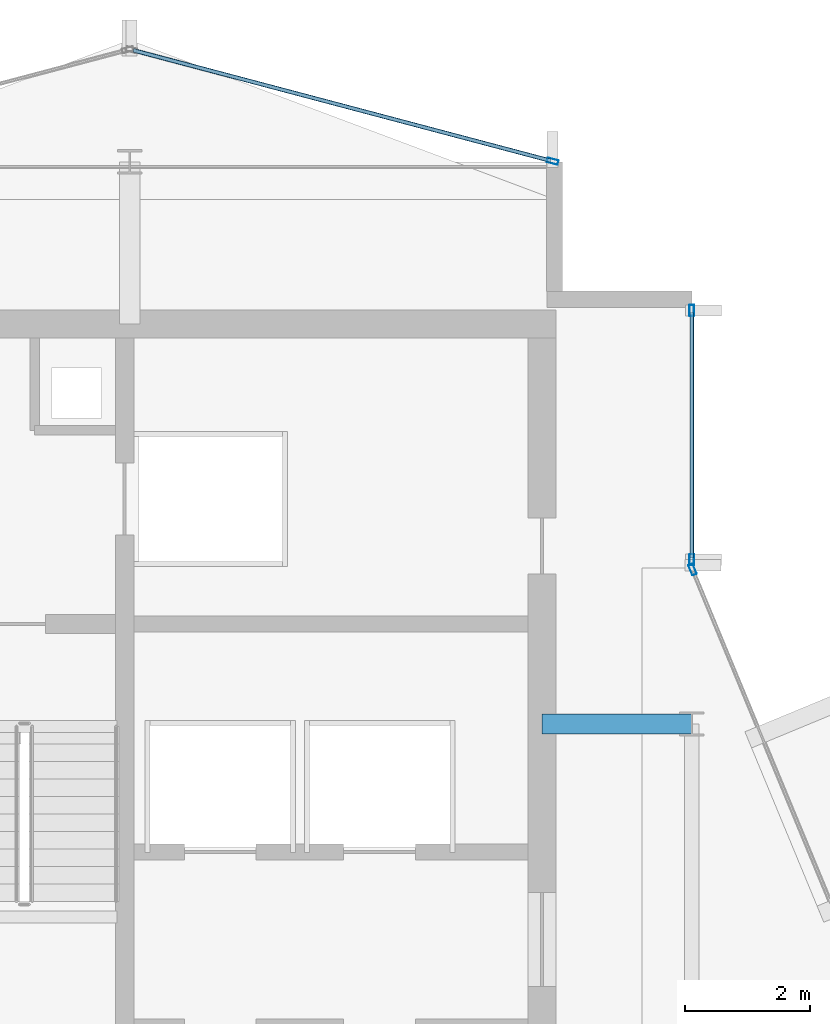
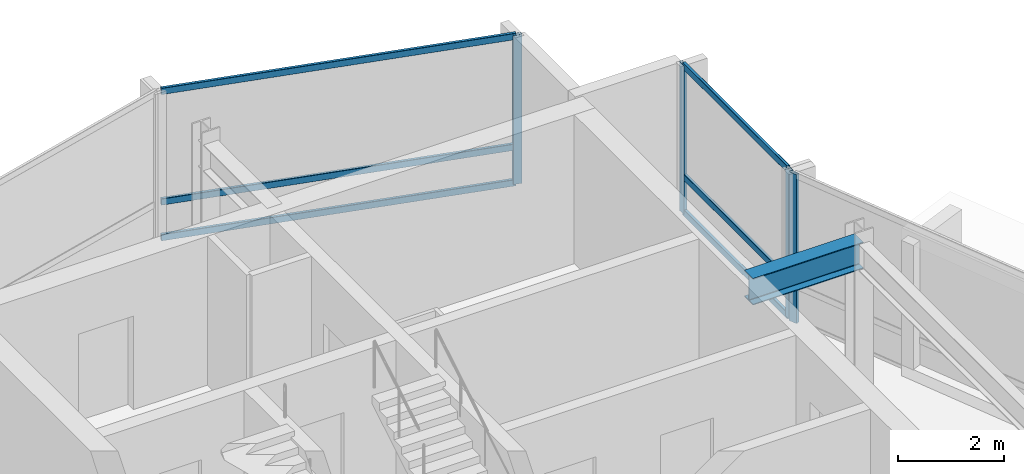
# One storey, part 12 of 19: 10 members, 1 beam, 3 elements without a shape of their own.
"""IFC4 building model written with IfcOpenShell, lengths in metres."""

from ifc_helpers import new_model, si_unit, direction, frame, origin, origin_2d, place, context, subcontext, project, spatial, hollow_rectangle, i_section, extrude, material, layer, layer_set, material_profile, profile_set, type_object, element, aggregate, save


model = new_model("IFC4")

# Units and contexts
model_context = context("Model", 3, precision=1e-05, world=origin(), true_north=direction((0.0, 1.0)))
body_context = subcontext(model_context, "Body", "Model", "MODEL_VIEW")
ifc_project = project(units=[si_unit("LENGTHUNIT", "METRE"), si_unit("AREAUNIT", "SQUARE_METRE"), si_unit("VOLUMEUNIT", "CUBIC_METRE"), si_unit("PLANEANGLEUNIT", "RADIAN"), si_unit("MASSUNIT", "GRAM", prefix="KILO")], contexts=[model_context])

# Site, building, storey
site_placement = place(None, origin())
site = spatial("IfcSite", under=ifc_project, at=site_placement, CompositionType="ELEMENT")
building_placement = place(site_placement, origin())
building = spatial("IfcBuilding", under=site, at=building_placement, Name="Solvaryn Broadcast Tower", CompositionType="ELEMENT")
storey_placement = place(building_placement, frame((0.0, 0.0, 259.300048828125)))
storey = spatial("IfcBuildingStorey", under=building, at=storey_placement, Name="L65", CompositionType="ELEMENT", Elevation=259.300048828125)

# Beam
ifc_material_1 = material(Name="Steel ASTM A992 Grade 50", Category="steel")
ifc_material_profile_1 = material_profile(ifc_material_1, i_section(OverallWidth=0.323974609375, OverallDepth=0.611083984375, WebThickness=0.0126953125, FlangeThickness=0.01904296875, FilletRadius=0.014892578125, at=origin_2d()))
ifc_profile_set_1 = profile_set([ifc_material_profile_1], Name="Steel ASTM A992 Grade 50")
beam_type = type_object("IfcBeamType", Name="BM-B1-W24X104", PredefinedType="BEAM", material=ifc_profile_set_1)
beam_placement = place(storey_placement, frame((24.60009765625, 36.0, 3.114501953125), z_axis=(1.0, 0.0, 0.0), x_axis=(0.0, 1.0, 0.0)))
element("IfcBeam", 1, at=beam_placement, inside=storey, type_object=beam_type, Name="L65 Core Tie Beam CTW2", PredefinedType="BEAM", context=body_context, shape_type="SweptSolid", body=[
    extrude(i_section(OverallWidth=0.323974609375, OverallDepth=0.611083984375, WebThickness=0.0126953125, FlangeThickness=0.01904296875, FilletRadius=0.014892578125, at=origin_2d()), origin(), (0.0, 0.0, 1.0), 2.39990234375),
])

# Curtain wall, members
ifc_material_2 = material(Name="Aluminium and Terracotta Unitised Curtain Wall", Category="masonry")
ifc_layer = layer(ifc_material_2, 0.199951171875)
ifc_layer_set = layer_set([ifc_layer], Name="CW-SYS2-LOWMID")
curtain_wall_type = type_object("IfcCurtainWallType", Name="CW-SYS2-LOWMID", PredefinedType="NOTDEFINED", material=ifc_layer_set)
curtain_wall_1_placement = place(storey_placement, origin())
curtain_wall_1 = element("IfcCurtainWall", 2, at=curtain_wall_1_placement, inside=storey, type_object=curtain_wall_type, Name="L65 Curtain Wall IV", PredefinedType="NOTDEFINED")
ifc_material_3 = material(Name="Anodised Aluminium 6063-T6", Category="aluminium")
ifc_material_profile_2 = material_profile(ifc_material_3, hollow_rectangle(XDim=0.074951171875, YDim=0.179931640625, WallThickness=0.00390625, InnerFilletRadius=0.00390625, OuterFilletRadius=0.008056640625, at=origin_2d()))
ifc_profile_set_2 = profile_set([ifc_material_profile_2], Name="Anodised Aluminium 6063-T6")
member_type_1 = type_object("IfcMemberType", Name="CW-MUL-180", PredefinedType="MULLION", material=ifc_profile_set_2)
member_1_placement = place(storey_placement, frame((27.0, 42.6201171875, 0.0), z_axis=(0.0, 0.0, 1.0), x_axis=(1.0, 0.0, 0.0)))
member_1 = element("IfcMember", 3, at=member_1_placement, type_object=member_type_1, Name="CWS2 mullion 1", PredefinedType="MULLION", context=body_context, shape_type="SweptSolid", body=[
    extrude(hollow_rectangle(XDim=0.074951171875, YDim=0.179931640625, WallThickness=0.00390625, InnerFilletRadius=0.00390625, OuterFilletRadius=0.008056640625, at=origin_2d()), origin(), (0.0, 0.0, 1.0), 3.419921875),
])
member_2_placement = place(storey_placement, frame((27.0, 38.6298828125, 0.0), z_axis=(0.0, 0.0, 1.0), x_axis=(1.0, 0.0, 0.0)))
member_2 = element("IfcMember", 4, at=member_2_placement, type_object=member_type_1, Name="CWS2 mullion 2", PredefinedType="MULLION", context=body_context, shape_type="SweptSolid", body=[
    extrude(hollow_rectangle(XDim=0.074951171875, YDim=0.179931640625, WallThickness=0.00390625, InnerFilletRadius=0.00390625, OuterFilletRadius=0.008056640625, at=origin_2d()), origin(), (0.0, 0.0, 1.0), 3.419921875),
])

# Curtain wall, member
curtain_wall_2_placement = place(storey_placement, origin())
curtain_wall_2 = element("IfcCurtainWall", 5, at=curtain_wall_2_placement, inside=storey, type_object=curtain_wall_type, Name="L65 Curtain Wall CN2", PredefinedType="NOTDEFINED")
member_3_placement = place(storey_placement, frame((27.011474609375, 38.47216796875, 0.0), z_axis=(0.0, 0.0, 1.0), x_axis=(-0.923894983957, -0.382646127145, 0.0)))
member_3 = element("IfcMember", 6, at=member_3_placement, type_object=member_type_1, Name="CWS2 mullion 2", PredefinedType="MULLION", context=body_context, shape_type="SweptSolid", body=[
    extrude(hollow_rectangle(XDim=0.074951171875, YDim=0.179931640625, WallThickness=0.00390625, InnerFilletRadius=0.00390625, OuterFilletRadius=0.008056640625, at=origin_2d()), origin(), (0.0, 0.0, 1.0), 3.419921875),
])
aggregate(curtain_wall_2, [member_3])

curtain_wall_3_placement = place(storey_placement, origin())
curtain_wall_3 = element("IfcCurtainWall", 7, at=curtain_wall_3_placement, inside=storey, type_object=curtain_wall_type, Name="L65 Curtain Wall NT1", PredefinedType="NOTDEFINED")
member_4_placement = place(storey_placement, frame((24.77099609375, 45.007568359375, 0.0), z_axis=(0.0, 0.0, 1.0), x_axis=(-0.25589256031, -0.966705227863, 0.0)))
member_4 = element("IfcMember", 8, at=member_4_placement, type_object=member_type_1, Name="CWS2 mullion 1", PredefinedType="MULLION", context=body_context, shape_type="SweptSolid", body=[
    extrude(hollow_rectangle(XDim=0.074951171875, YDim=0.179931640625, WallThickness=0.00390625, InnerFilletRadius=0.00390625, OuterFilletRadius=0.008056640625, at=origin_2d()), origin(), (0.0, 0.0, 1.0), 3.419921875),
])

# Member
ifc_material_4 = material(Name="Anodised Aluminium 6063-T6", Category="aluminium")
ifc_material_profile_3 = material_profile(ifc_material_4, hollow_rectangle(XDim=0.06494140625, YDim=0.14990234375, WallThickness=0.00390625, InnerFilletRadius=0.00390625, OuterFilletRadius=0.008056640625, at=origin_2d()))
ifc_profile_set_3 = profile_set([ifc_material_profile_3], Name="Anodised Aluminium 6063-T6")
member_type_2 = type_object("IfcMemberType", Name="CW-TRN-150", PredefinedType="USERDEFINED", material=ifc_profile_set_3)
member_5_placement = place(storey_placement, frame((27.0, 42.590087890625, 0.030029296875), z_axis=(0.0, -1.0, 0.0), x_axis=(1.0, 0.0, 0.0)))
member_5 = element("IfcMember", 9, at=member_5_placement, type_object=member_type_2, Name="CWS2 transom 1.1", ObjectType="TRANSOM", PredefinedType="USERDEFINED", context=body_context, shape_type="SweptSolid", body=[
    extrude(hollow_rectangle(XDim=0.06494140625, YDim=0.14990234375, WallThickness=0.00390625, InnerFilletRadius=0.00390625, OuterFilletRadius=0.008056640625, at=origin_2d()), origin(), (0.0, 0.0, 1.0), 3.93017578125),
])

member_6_placement = place(storey_placement, frame((27.0, 42.590087890625, 0.849853515625), z_axis=(0.0, -1.0, 0.0), x_axis=(1.0, 0.0, 0.0)))
member_6 = element("IfcMember", 10, at=member_6_placement, type_object=member_type_2, Name="CWS2 transom 1.2", ObjectType="TRANSOM", PredefinedType="USERDEFINED", context=body_context, shape_type="SweptSolid", body=[
    extrude(hollow_rectangle(XDim=0.06494140625, YDim=0.14990234375, WallThickness=0.00390625, InnerFilletRadius=0.00390625, OuterFilletRadius=0.008056640625, at=origin_2d()), origin(), (0.0, 0.0, 1.0), 3.93017578125),
])

member_7_placement = place(storey_placement, frame((27.0, 42.590087890625, 3.389892578125), z_axis=(0.0, -1.0, 0.0), x_axis=(1.0, 0.0, 0.0)))
member_7 = element("IfcMember", 11, at=member_7_placement, type_object=member_type_2, Name="CWS2 transom 1.3", ObjectType="TRANSOM", PredefinedType="USERDEFINED", context=body_context, shape_type="SweptSolid", body=[
    extrude(hollow_rectangle(XDim=0.06494140625, YDim=0.14990234375, WallThickness=0.00390625, InnerFilletRadius=0.00390625, OuterFilletRadius=0.008056640625, at=origin_2d()), origin(), (0.0, 0.0, 1.0), 3.93017578125),
])

aggregate(curtain_wall_1, [member_1, member_2, member_5, member_6, member_7])

member_8_placement = place(storey_placement, frame((24.741943359375, 45.015380859375, 0.030029296875), z_axis=(-0.966703943301, 0.255897413051, 0.0), x_axis=(-0.255897413051, -0.966703943301, 0.0)))
member_8 = element("IfcMember", 12, at=member_8_placement, type_object=member_type_2, Name="CWS2 transom 1.1", ObjectType="TRANSOM", PredefinedType="USERDEFINED", context=body_context, shape_type="SweptSolid", body=[
    extrude(hollow_rectangle(XDim=0.06494140625, YDim=0.14990234375, WallThickness=0.00390625, InnerFilletRadius=0.00390625, OuterFilletRadius=0.008056640625, at=origin_2d()), origin(), (0.0, 0.0, 1.0), 6.9140625),
])

member_9_placement = place(storey_placement, frame((24.741943359375, 45.015380859375, 0.849853515625), z_axis=(-0.966703943301, 0.255897413051, 0.0), x_axis=(-0.255897413051, -0.966703943301, 0.0)))
member_9 = element("IfcMember", 13, at=member_9_placement, type_object=member_type_2, Name="CWS2 transom 1.2", ObjectType="TRANSOM", PredefinedType="USERDEFINED", context=body_context, shape_type="SweptSolid", body=[
    extrude(hollow_rectangle(XDim=0.06494140625, YDim=0.14990234375, WallThickness=0.00390625, InnerFilletRadius=0.00390625, OuterFilletRadius=0.008056640625, at=origin_2d()), origin(), (0.0, 0.0, 1.0), 6.9140625),
])

member_10_placement = place(storey_placement, frame((24.741943359375, 45.015380859375, 3.389892578125), z_axis=(-0.966703943301, 0.255897413051, 0.0), x_axis=(-0.255897413051, -0.966703943301, 0.0)))
member_10 = element("IfcMember", 14, at=member_10_placement, type_object=member_type_2, Name="CWS2 transom 1.3", ObjectType="TRANSOM", PredefinedType="USERDEFINED", context=body_context, shape_type="SweptSolid", body=[
    extrude(hollow_rectangle(XDim=0.06494140625, YDim=0.14990234375, WallThickness=0.00390625, InnerFilletRadius=0.00390625, OuterFilletRadius=0.008056640625, at=origin_2d()), origin(), (0.0, 0.0, 1.0), 6.9140625),
])

aggregate(curtain_wall_3, [member_4, member_8, member_9, member_10])

save(model, "model.ifc")
